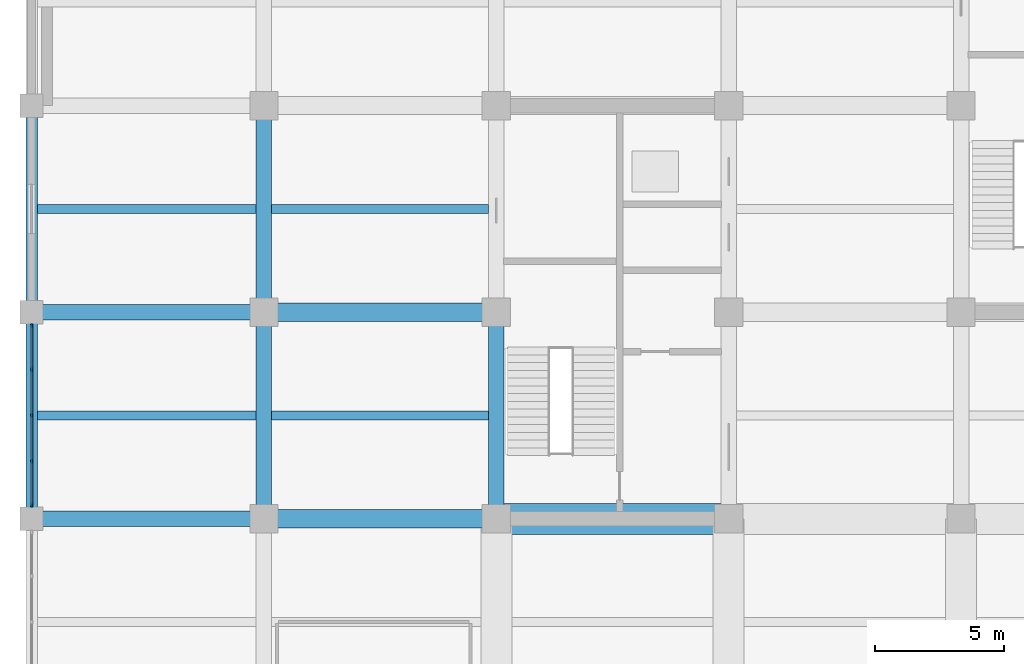
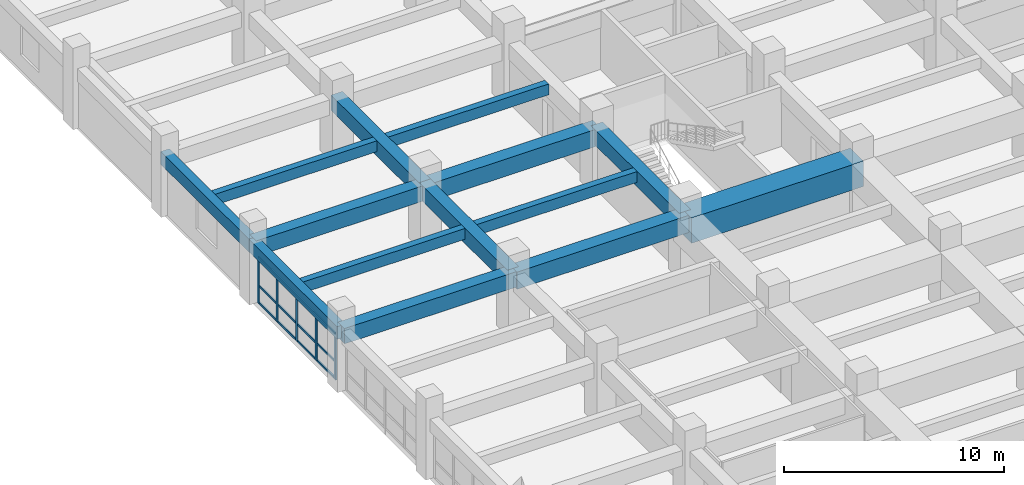
# One storey, part 11 of 40: 14 beams, 8 members, 1 element without a shape of its own.
"""IFC4 building model written with IfcOpenShell, lengths in metres."""

import ifcopenshell
import ifcopenshell.guid

model = None  # the IFC model being written
_history = None  # IfcOwnerHistory: only IFC2X3 demands one
_inside = {}  # id of a spatial element -> (the spatial element, [elements in it])
_under = {}  # id of a project, library or spatial element -> (it, [spatial elements below it])
_declared = {}  # id of a project -> (the project, [libraries it declares])
_typed = {}  # id of a type object -> (the type object, [elements of that type])
_made_of = {}  # id of a material, layer set ... -> (it, [elements and type objects made of it])


def new_model(schema):
    """Start an empty IFC model of exactly this schema.

    Asked for "IFC4X3", IfcOpenShell would pick the latest addendum, in which some entities
    have other attributes; the version numbers below select the first issue.
    IFC2X3 requires an IfcOwnerHistory on every rooted entity: one is made here for all.
    """
    global model, _history
    if schema == "IFC4X3":
        model = ifcopenshell.file(schema_version=(4, 3, 0, 0))
    else:
        model = ifcopenshell.file(schema=schema)
    _inside.clear()
    _under.clear()
    _declared.clear()
    _typed.clear()
    _made_of.clear()
    _history = None
    if model.schema == "IFC2X3":
        org = make("IfcOrganization", Name="unknown")
        user = make(
            "IfcPersonAndOrganization",
            ThePerson=make("IfcPerson", FamilyName="unknown"),
            TheOrganization=org,
        )
        app = make(
            "IfcApplication",
            ApplicationDeveloper=org,
            Version="unknown",
            ApplicationFullName="unknown",
            ApplicationIdentifier="unknown",
        )
        _history = make(
            "IfcOwnerHistory",
            OwningUser=user,
            OwningApplication=app,
            ChangeAction="ADDED",
            CreationDate=0,
        )
    return model


def make(cls, **values):
    """One entity of the class cls with the attributes given. An attribute that is None is left unset."""
    return model.create_entity(
        cls, **{name: value for name, value in values.items() if value is not None}
    )


def rooted(cls, **values):
    """An entity with a GlobalId (a new one), such as an element, a storey or a relation."""
    return make(cls, GlobalId=ifcopenshell.guid.new(), OwnerHistory=_history, **values)


def si_unit(unit_type, name, prefix=None):
    """IfcSIUnit, for example si_unit("LENGTHUNIT", "METRE", prefix="MILLI")."""
    return make("IfcSIUnit", UnitType=unit_type, Prefix=prefix, Name=name)


def assignment(units):
    """IfcUnitAssignment: the units of a project."""
    return None if units is None else make("IfcUnitAssignment", Units=units)


def point(xyz):
    """IfcCartesianPoint."""
    return None if xyz is None else make("IfcCartesianPoint", Coordinates=xyz)


def direction(xyz):
    """IfcDirection."""
    return None if xyz is None else make("IfcDirection", DirectionRatios=xyz)


def frame(location, z_axis=None, x_axis=None):
    """IfcAxis2Placement3D, a coordinate frame: its origin and axes. An axis left out is left unset."""
    return make(
        "IfcAxis2Placement3D",
        Location=point(location),
        Axis=direction(z_axis),
        RefDirection=direction(x_axis),
    )


def frame_2d(location, x_axis=None):
    """IfcAxis2Placement2D, a coordinate frame in the plane: its origin and x axis."""
    return make(
        "IfcAxis2Placement2D", Location=point(location), RefDirection=direction(x_axis)
    )


def origin():
    """The frame at (0, 0, 0) with its axes left unset."""
    return frame((0.0, 0.0, 0.0))


def origin_2d():
    """The frame at (0, 0) in the plane with its x axis left unset."""
    return frame_2d((0.0, 0.0))


def place(relative_to, where):
    """IfcLocalPlacement: puts the frame where relative to a parent placement (None: the world)."""
    return make(
        "IfcLocalPlacement", PlacementRelTo=relative_to, RelativePlacement=where
    )


def context(
    kind, dimensions, precision=None, world=None, true_north=None, identifier=None
):
    """IfcGeometricRepresentationContext, for example the 3D "Model" context."""
    return make(
        "IfcGeometricRepresentationContext",
        ContextIdentifier=identifier,
        ContextType=kind,
        CoordinateSpaceDimension=dimensions,
        Precision=precision,
        WorldCoordinateSystem=world,
        TrueNorth=true_north,
    )


def subcontext(parent, identifier, kind, view, scale=None):
    """IfcGeometricRepresentationSubContext, for example "Body" below "Model"."""
    return make(
        "IfcGeometricRepresentationSubContext",
        ContextIdentifier=identifier,
        ContextType=kind,
        ParentContext=parent,
        TargetScale=scale,
        TargetView=view,
    )


def project(units=None, contexts=None):
    """IfcProject with its units and contexts."""
    return rooted(
        "IfcProject",
        Name="project",
        RepresentationContexts=contexts,
        UnitsInContext=assignment(units),
    )


def spatial(cls, under=None, at=None, **own):
    """A site, building, storey or space (cls), placed at a placement, below another one or the project."""
    s = rooted(cls, ObjectPlacement=at, **own)
    if under is not None:
        _under.setdefault(under.id(), (under, []))[1].append(s)
    return s


def profile(cls, at=None, kind="AREA", **sizes):
    """A parametric profile (cls). Its sizes go by their IFC names, for example OverallWidth=200.0."""
    return make(cls, ProfileType=kind, Position=at, **sizes)


def rectangle(**sizes):
    """IfcRectangleProfileDef."""
    return profile("IfcRectangleProfileDef", **sizes)


def extrude(swept, where, along, depth):
    """IfcExtrudedAreaSolid: the profile swept, set in the frame where, extruded along a direction by depth."""
    return make(
        "IfcExtrudedAreaSolid",
        SweptArea=swept,
        Position=where,
        ExtrudedDirection=direction(along),
        Depth=depth,
    )


def shape(context_of_items, identifier, shape_type, items):
    """IfcShapeRepresentation: the items that make up one representation, for example the "Body"."""
    return make(
        "IfcShapeRepresentation",
        ContextOfItems=context_of_items,
        RepresentationIdentifier=identifier,
        RepresentationType=shape_type,
        Items=items,
    )


def material(Name=None, Category=None):
    """IfcMaterial."""
    return make("IfcMaterial", Name=Name, Category=Category)


def material_profile(
    of_material, cross_section, Name=None, Category=None, Priority=None
):
    """IfcMaterialProfile: a cross section and its material."""
    return make(
        "IfcMaterialProfile",
        Name=Name,
        Material=of_material,
        Profile=cross_section,
        Priority=Priority,
        Category=Category,
    )


def profile_set(profiles, Name=None, composite=None):
    """IfcMaterialProfileSet."""
    return make(
        "IfcMaterialProfileSet",
        Name=Name,
        MaterialProfiles=profiles,
        CompositeProfile=composite,
    )


def made_of(thing, what):
    """Note that an element or type object is made of a material, layer set ...; save() writes the relation."""
    if what is not None:
        _made_of.setdefault(what.id(), (what, []))[1].append(thing)
    return thing


def type_object(cls, material=None, **own):
    """A type object (cls), such as IfcWallType, which elements share."""
    return made_of(rooted(cls, **own), material)


def element(
    cls,
    number,
    at=None,
    inside=None,
    cuts=None,
    type_object=None,
    material=None,
    context=None,
    identifier="Body",
    shape_type=None,
    held_by="IfcProductDefinitionShape",
    body=None,
    shapes=None,
    **own,
):
    """One element of the class cls, such as IfcWall. Its Tag is "e" and its number.

    at: its placement. inside: the storey or other place that contains it. cuts: it is an
    opening in that element (IfcRelVoidsElement). A single representation is given by context,
    identifier, shape_type and body (its items); several are given by shapes. held_by: the class
    of the entity that holds the representations. save() writes the other relations.
    """
    e = rooted(cls, Tag="e%d" % number, ObjectPlacement=at, **own)
    if body is not None:
        shapes = [shape(context, identifier, shape_type, body)]
    if shapes is not None:
        e.Representation = make(held_by, Representations=shapes)
    if inside is not None:
        _inside.setdefault(inside.id(), (inside, []))[1].append(e)
    if cuts is not None:
        rooted(
            "IfcRelVoidsElement", RelatingBuildingElement=cuts, RelatedOpeningElement=e
        )
    if type_object is not None:
        _typed.setdefault(type_object.id(), (type_object, []))[1].append(e)
    return made_of(e, material)


def aggregate(whole, parts):
    """IfcRelAggregates: a whole, such as a stair, and the parts it consists of."""
    return rooted("IfcRelAggregates", RelatingObject=whole, RelatedObjects=parts)


def save(model, path):
    """Write the relations noted so far, then the file.

    IfcRelAggregates (storeys below a building ...), IfcRelContainedInSpatialStructure (elements
    in a storey), IfcRelDefinesByType, IfcRelAssociatesMaterial and IfcRelDeclares: one each for
    every whole, place, type object, material and project.
    """
    for whole, parts in _under.values():
        aggregate(whole, parts)
    for where, things in _inside.values():
        rooted(
            "IfcRelContainedInSpatialStructure",
            RelatedElements=things,
            RelatingStructure=where,
        )
    for kind, things in _typed.values():
        rooted("IfcRelDefinesByType", RelatedObjects=things, RelatingType=kind)
    for what, things in _made_of.values():
        rooted("IfcRelAssociatesMaterial", RelatedObjects=things, RelatingMaterial=what)
    for by, libraries in _declared.values():
        rooted("IfcRelDeclares", RelatingContext=by, RelatedDefinitions=libraries)
    model.write(path)


model = new_model("IFC4")

# Units and contexts
model_context = context("Model", 3, precision=1e-05, world=origin(), true_north=direction((0.0, 1.0)))
body_context = subcontext(model_context, "Body", "Model", "MODEL_VIEW")
ifc_project = project(units=[si_unit("LENGTHUNIT", "METRE"), si_unit("AREAUNIT", "SQUARE_METRE"), si_unit("VOLUMEUNIT", "CUBIC_METRE"), si_unit("PLANEANGLEUNIT", "RADIAN"), si_unit("MASSUNIT", "GRAM", prefix="KILO")], contexts=[model_context])

# Site, building, storey
site_placement = place(None, origin())
site = spatial("IfcSite", under=ifc_project, at=site_placement, CompositionType="ELEMENT")
building_placement = place(site_placement, origin())
building = spatial("IfcBuilding", under=site, at=building_placement, Name="Zaverband Oceanarium and Marine Research Institute", CompositionType="ELEMENT")
storey_placement = place(building_placement, origin())
storey = spatial("IfcBuildingStorey", under=building, at=storey_placement, Name="L00", CompositionType="ELEMENT", Elevation=0.0)

# Beams
ifc_material_1 = material(Name="Concrete C40/50", Category="concrete")
ifc_material_profile_1 = material_profile(ifc_material_1, rectangle(XDim=0.60009765625, YDim=0.85009765625, at=origin_2d()), Name="RC600x850")
ifc_profile_set_1 = profile_set([ifc_material_profile_1], Name="Concrete C40/50")
beam_type_1 = type_object("IfcBeamType", Name="BM-600x850", PredefinedType="BEAM", material=ifc_profile_set_1)
for number, where, z_axis, x_axis, name in (
    (1, (0.0, 80.0, 2.875), (1.0, 0.0, 0.0), (0.0, 1.0, 0.0), "Primary floor girder BM-600x850"),
    (2, (0.0, 88.0, 2.875), (1.0, 0.0, 0.0), (0.0, 1.0, 0.0), "Primary floor girder BM-600x850"),
):
    element("IfcBeam", number, at=place(storey_placement, frame(where, z_axis=z_axis, x_axis=x_axis)), inside=storey, type_object=beam_type_1, Name=name, PredefinedType="BEAM", context=body_context, shape_type="SweptSolid", body=[
        extrude(rectangle(XDim=0.60009765625, YDim=0.85009765625, at=origin_2d()), origin(), (0.0, 0.0, 1.0), 9.0),
    ])
for number, where, z_axis, x_axis, name in (
    (3, (9.0, 80.0, 2.875), (0.0, 1.0, 0.0), (-1.0, 0.0, 0.0), "Primary floor girder BM-600x850"),
    (4, (9.0, 88.0, 2.875), (0.0, 1.0, 0.0), (-1.0, 0.0, 0.0), "Primary floor girder BM-600x850"),
    (5, (18.0, 80.0, 2.875), (0.0, 1.0, 0.0), (-1.0, 0.0, 0.0), "Primary floor girder BM-600x850"),
):
    element("IfcBeam", number, at=place(storey_placement, frame(where, z_axis=z_axis, x_axis=x_axis)), inside=storey, type_object=beam_type_1, Name=name, PredefinedType="BEAM", context=body_context, shape_type="SweptSolid", body=[
        extrude(rectangle(XDim=0.60009765625, YDim=0.85009765625, at=origin_2d()), origin(), (0.0, 0.0, 1.0), 8.0),
    ])
ifc_material_2 = material(Name="Concrete C50/60", Category="concrete")
ifc_material_profile_2 = material_profile(ifc_material_2, rectangle(XDim=0.699951171875, YDim=0.949951171875, at=origin_2d()), Name="RC700x950")
ifc_profile_set_2 = profile_set([ifc_material_profile_2], Name="Concrete C50/60")
beam_type_2 = type_object("IfcBeamType", Name="BM-700x950", PredefinedType="BEAM", material=ifc_profile_set_2)
for number, where, z_axis, x_axis, name in (
    (6, (9.0, 80.0, 2.824951171875), (1.0, 0.0, 0.0), (0.0, 1.0, 0.0), "Primary floor girder BM-700x950"),
    (7, (9.0, 88.0, 2.824951171875), (1.0, 0.0, 0.0), (0.0, 1.0, 0.0), "Primary floor girder BM-700x950"),
):
    element("IfcBeam", number, at=place(storey_placement, frame(where, z_axis=z_axis, x_axis=x_axis)), inside=storey, type_object=beam_type_2, Name=name, PredefinedType="BEAM", context=body_context, shape_type="SweptSolid", body=[
        extrude(rectangle(XDim=0.699951171875, YDim=0.949951171875, at=origin_2d()), origin(), (0.0, 0.0, 1.0), 9.0),
    ])
ifc_material_profile_3 = material_profile(ifc_material_1, rectangle(XDim=0.35009765625, YDim=0.60009765625, at=origin_2d()), Name="RC350x600")
ifc_profile_set_3 = profile_set([ifc_material_profile_3], Name="Concrete C40/50")
beam_type_3 = type_object("IfcBeamType", Name="JST-350x600", PredefinedType="JOIST", material=ifc_profile_set_3)
for number, where, z_axis, x_axis, name in (
    (8, (0.22509765625, 84.0, 3.0), (1.0, 0.0, 0.0), (0.0, 1.0, 0.0), "Secondary floor joist JST-350x600"),
    (9, (0.22509765625, 92.0, 3.0), (1.0, 0.0, 0.0), (0.0, 1.0, 0.0), "Secondary floor joist JST-350x600"),
):
    element("IfcBeam", number, at=place(storey_placement, frame(where, z_axis=z_axis, x_axis=x_axis)), inside=storey, type_object=beam_type_3, Name=name, PredefinedType="JOIST", context=body_context, shape_type="SweptSolid", body=[
        extrude(rectangle(XDim=0.35009765625, YDim=0.60009765625, at=origin_2d()), origin(), (0.0, 0.0, 1.0), 8.474853515625),
    ])
for number, where, z_axis, x_axis, name in (
    (10, (9.300048828125, 84.0, 3.0), (1.0, 0.0, 0.0), (0.0, 1.0, 0.0), "Secondary floor joist JST-350x600"),
    (11, (9.300048828125, 92.0, 3.0), (1.0, 0.0, 0.0), (0.0, 1.0, 0.0), "Secondary floor joist JST-350x600"),
):
    element("IfcBeam", number, at=place(storey_placement, frame(where, z_axis=z_axis, x_axis=x_axis)), inside=storey, type_object=beam_type_3, Name=name, PredefinedType="JOIST", context=body_context, shape_type="SweptSolid", body=[
        extrude(rectangle(XDim=0.35009765625, YDim=0.60009765625, at=origin_2d()), origin(), (0.0, 0.0, 1.0), 8.39990234375),
    ])

# Curtain wall, members
ifc_material_3 = material(Name="Thermally broken anodized aluminium and solar-control glass", Category="aluminium")
curtain_wall_type = type_object("IfcCurtainWallType", Name="CW-UNIT-1800", PredefinedType="NOTDEFINED", material=ifc_material_3)
curtain_wall_placement = place(storey_placement, origin())
curtain_wall = element("IfcCurtainWall", 12, at=curtain_wall_placement, inside=storey, type_object=curtain_wall_type, Name="Unitised glazed curtain wall CW-011", PredefinedType="NOTDEFINED")
ifc_material_4 = material(Name="Thermally broken anodized aluminium", Category="aluminium")
ifc_material_profile_4 = material_profile(ifc_material_4, rectangle(XDim=0.070068359375, YDim=0.14990234375, at=origin_2d()), Name="AL-MUL-70x150")
ifc_profile_set_4 = profile_set([ifc_material_profile_4], Name="Thermally broken anodized aluminium")
member_type_1 = type_object("IfcMemberType", Name="MUL-70x150", PredefinedType="MULLION", material=ifc_profile_set_4)
member_1_placement = place(storey_placement, frame((0.0, 80.514892578125, 0.0), z_axis=(0.0, 0.0, 1.0), x_axis=(1.0, 0.0, 0.0)))
member_1 = element("IfcMember", 13, at=member_1_placement, type_object=member_type_1, Name="Curtain wall vertical mullion MUL-70x150", PredefinedType="MULLION", context=body_context, shape_type="SweptSolid", body=[
    extrude(rectangle(XDim=0.070068359375, YDim=0.14990234375, at=origin_2d()), origin(), (0.0, 0.0, 1.0), 2.580078125),
])
member_2_placement = place(storey_placement, frame((0.0, 82.2275390625, 0.0), z_axis=(0.0, 0.0, 1.0), x_axis=(1.0, 0.0, 0.0)))
member_2 = element("IfcMember", 14, at=member_2_placement, type_object=member_type_1, Name="Curtain wall vertical mullion MUL-70x150", PredefinedType="MULLION", context=body_context, shape_type="SweptSolid", body=[
    extrude(rectangle(XDim=0.070068359375, YDim=0.14990234375, at=origin_2d()), origin(), (0.0, 0.0, 1.0), 2.580078125),
])
member_3_placement = place(storey_placement, frame((0.0, 84.0, 0.0), z_axis=(0.0, 0.0, 1.0), x_axis=(1.0, 0.0, 0.0)))
member_3 = element("IfcMember", 15, at=member_3_placement, type_object=member_type_1, Name="Curtain wall vertical mullion MUL-70x150", PredefinedType="MULLION", context=body_context, shape_type="SweptSolid", body=[
    extrude(rectangle(XDim=0.070068359375, YDim=0.14990234375, at=origin_2d()), origin(), (0.0, 0.0, 1.0), 2.580078125),
])
member_4_placement = place(storey_placement, frame((0.0, 85.7724609375, 0.0), z_axis=(0.0, 0.0, 1.0), x_axis=(1.0, 0.0, 0.0)))
member_4 = element("IfcMember", 16, at=member_4_placement, type_object=member_type_1, Name="Curtain wall vertical mullion MUL-70x150", PredefinedType="MULLION", context=body_context, shape_type="SweptSolid", body=[
    extrude(rectangle(XDim=0.070068359375, YDim=0.14990234375, at=origin_2d()), origin(), (0.0, 0.0, 1.0), 2.580078125),
])
member_5_placement = place(storey_placement, frame((0.0, 87.485107421875, 0.0), z_axis=(0.0, 0.0, 1.0), x_axis=(1.0, 0.0, 0.0)))
member_5 = element("IfcMember", 17, at=member_5_placement, type_object=member_type_1, Name="Curtain wall vertical mullion MUL-70x150", PredefinedType="MULLION", context=body_context, shape_type="SweptSolid", body=[
    extrude(rectangle(XDim=0.070068359375, YDim=0.14990234375, at=origin_2d()), origin(), (0.0, 0.0, 1.0), 2.580078125),
])

# Beams
ifc_material_profile_5 = material_profile(ifc_material_1, rectangle(XDim=0.449951171875, YDim=0.699951171875, at=origin_2d()), Name="RC450x700")
ifc_profile_set_5 = profile_set([ifc_material_profile_5], Name="Concrete C40/50")
beam_type_4 = type_object("IfcBeamType", Name="SPN-450x700", PredefinedType="SPANDREL", material=ifc_profile_set_5)
for number, where, z_axis, x_axis, name in (
    (18, (0.0, 80.0, 2.949951171875), (0.0, 1.0, 0.0), (-1.0, 0.0, 0.0), "Perimeter spandrel beam SPN-450x700"),
    (19, (0.0, 88.0, 2.949951171875), (0.0, 1.0, 0.0), (-1.0, 0.0, 0.0), "Perimeter spandrel beam SPN-450x700"),
):
    element("IfcBeam", number, at=place(storey_placement, frame(where, z_axis=z_axis, x_axis=x_axis)), inside=storey, type_object=beam_type_4, Name=name, PredefinedType="SPANDREL", context=body_context, shape_type="SweptSolid", body=[
        extrude(rectangle(XDim=0.449951171875, YDim=0.699951171875, at=origin_2d()), origin(), (0.0, 0.0, 1.0), 8.0),
    ])
ifc_material_profile_6 = material_profile(ifc_material_2, rectangle(XDim=1.199951171875, YDim=1.39990234375, at=origin_2d()), Name="RC1200x1400")
ifc_profile_set_6 = profile_set([ifc_material_profile_6], Name="Concrete C50/60")
beam_type_5 = type_object("IfcBeamType", Name="TG-1200x1400", PredefinedType="BEAM", material=ifc_profile_set_6)
beam_placement = place(storey_placement, frame((18.0, 80.0, 2.60009765625), z_axis=(1.0, 0.0, 0.0), x_axis=(0.0, 1.0, 0.0)))
element("IfcBeam", 20, at=beam_placement, inside=storey, type_object=beam_type_5, Name="Heavy transfer girder TG-1200x1400", PredefinedType="BEAM", context=body_context, shape_type="SweptSolid", body=[
    extrude(rectangle(XDim=1.199951171875, YDim=1.39990234375, at=origin_2d()), origin(), (0.0, 0.0, 1.0), 9.0),
])

# Member
ifc_material_profile_7 = material_profile(ifc_material_4, rectangle(XDim=0.070068359375, YDim=0.114990234375, at=origin_2d()), Name="AL-TRN-70x115")
ifc_profile_set_7 = profile_set([ifc_material_profile_7], Name="Thermally broken anodized aluminium")
member_type_2 = type_object("IfcMemberType", Name="TRN-70x115", PredefinedType="USERDEFINED", material=ifc_profile_set_7)
member_6_placement = place(storey_placement, frame((0.0, 80.514892578125, 0.050048828125), z_axis=(0.0, 1.0, 0.0), x_axis=(-1.0, 0.0, 0.0)))
member_6 = element("IfcMember", 21, at=member_6_placement, type_object=member_type_2, Name="Curtain wall horizontal transom TRN-70x115", ObjectType="TRANSOM", PredefinedType="USERDEFINED", context=body_context, shape_type="SweptSolid", body=[
    extrude(rectangle(XDim=0.070068359375, YDim=0.114990234375, at=origin_2d()), origin(), (0.0, 0.0, 1.0), 6.97021484375),
])

member_7_placement = place(storey_placement, frame((0.0, 80.514892578125, 0.98291015625), z_axis=(0.0, 1.0, 0.0), x_axis=(-1.0, 0.0, 0.0)))
member_7 = element("IfcMember", 22, at=member_7_placement, type_object=member_type_2, Name="Curtain wall horizontal transom TRN-70x115", ObjectType="TRANSOM", PredefinedType="USERDEFINED", context=body_context, shape_type="SweptSolid", body=[
    extrude(rectangle(XDim=0.070068359375, YDim=0.114990234375, at=origin_2d()), origin(), (0.0, 0.0, 1.0), 6.97021484375),
])

member_8_placement = place(storey_placement, frame((0.0, 80.514892578125, 2.530029296875), z_axis=(0.0, 1.0, 0.0), x_axis=(-1.0, 0.0, 0.0)))
member_8 = element("IfcMember", 23, at=member_8_placement, type_object=member_type_2, Name="Curtain wall horizontal transom TRN-70x115", ObjectType="TRANSOM", PredefinedType="USERDEFINED", context=body_context, shape_type="SweptSolid", body=[
    extrude(rectangle(XDim=0.070068359375, YDim=0.114990234375, at=origin_2d()), origin(), (0.0, 0.0, 1.0), 6.97021484375),
])

aggregate(curtain_wall, [member_1, member_2, member_3, member_4, member_5, member_6, member_7, member_8])

save(model, "model.ifc")
